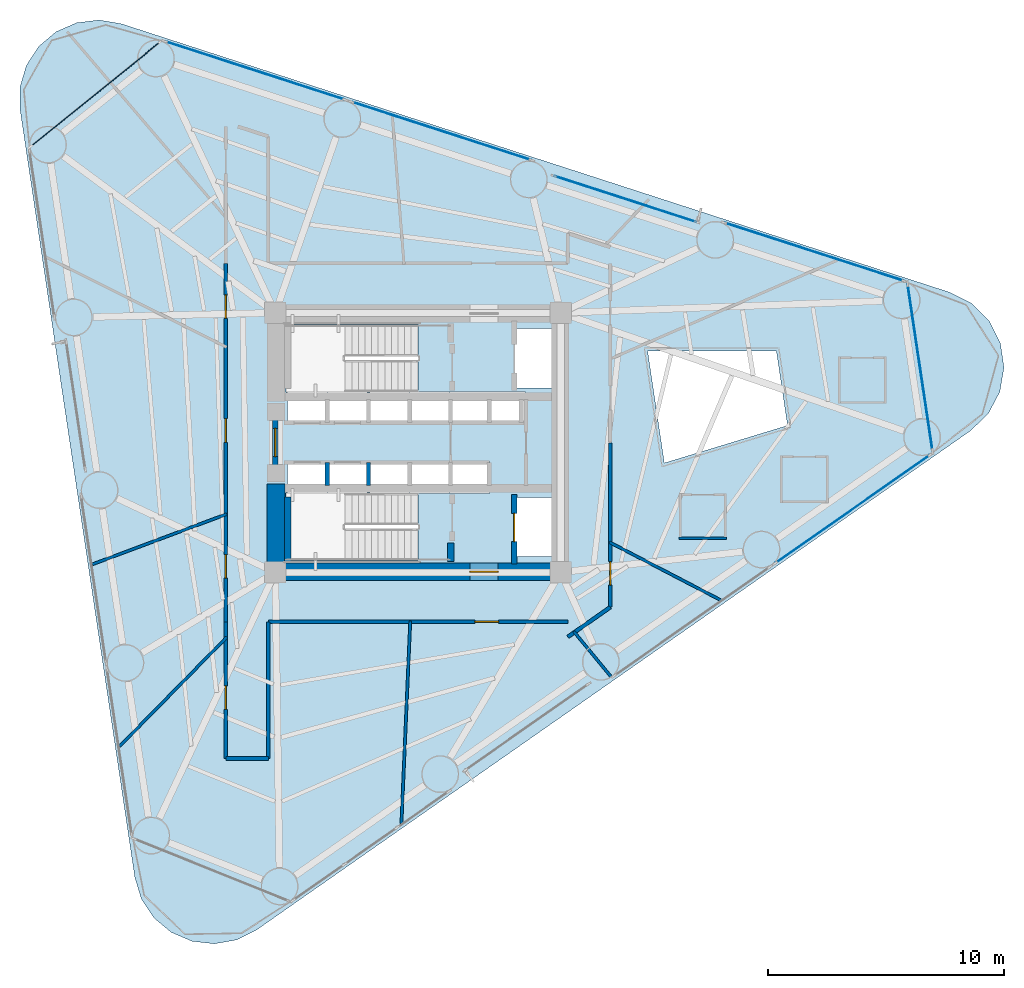
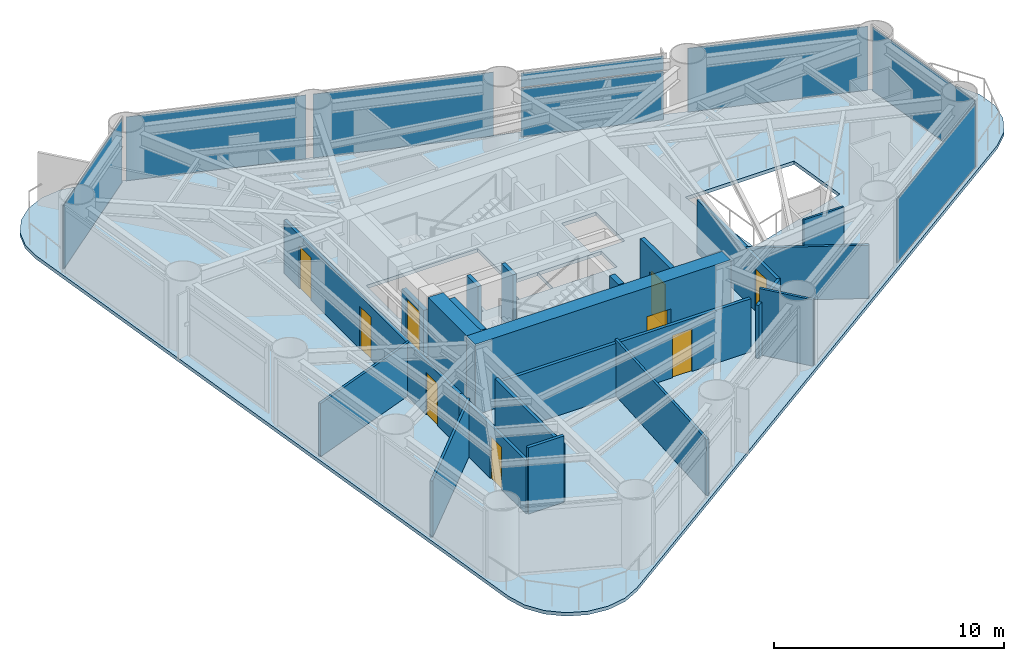
# One storey, part 5 of 9: 21 walls, 9 doors, 8 plates, 1 slab, 9 openings, 7 elements without a shape of their own.
"""IFC4 building model written with IfcOpenShell, lengths in metres."""

from ifc_helpers import new_model, si_unit, direction, frame, frame_2d, origin, origin_2d, place, context, subcontext, project, spatial, polyline, rectangle, outline, extrude, source, transform, mapped, material, layer, layer_set, type_object, element, fill, aggregate, save


model = new_model("IFC4")

# Units and contexts
model_context = context("Model", 3, precision=1e-05, world=origin(), true_north=direction((0.0, 1.0)))
body_context = subcontext(model_context, "Body", "Model", "MODEL_VIEW")
ifc_project = project(units=[si_unit("LENGTHUNIT", "METRE"), si_unit("AREAUNIT", "SQUARE_METRE"), si_unit("VOLUMEUNIT", "CUBIC_METRE"), si_unit("PLANEANGLEUNIT", "RADIAN"), si_unit("MASSUNIT", "GRAM", prefix="KILO")], contexts=[model_context])

# Site, building, storey
site_placement = place(None, origin())
site = spatial("IfcSite", under=ifc_project, at=site_placement, CompositionType="ELEMENT")
building_placement = place(site_placement, origin())
building = spatial("IfcBuilding", under=site, at=building_placement, Name="Yunling Apex Tower", CompositionType="ELEMENT")
storey_placement = place(building_placement, frame((0.0, 0.0, 81.050048828125)))
storey = spatial("IfcBuildingStorey", under=building, at=storey_placement, Name="L21", CompositionType="ELEMENT", Elevation=81.050048828125)

# Slab
ifc_material_1 = material(Name="Concrete C40", Category="concrete")
ifc_layer_1 = layer(ifc_material_1, 0.179931640625)
ifc_layer_set_1 = layer_set([ifc_layer_1], Name="Concrete C40")
slab_type = type_object("IfcSlabType", Name="SL-FLR-1", PredefinedType="FLOOR", material=ifc_layer_set_1)
slab_placement = place(storey_placement, frame((0.0, 0.0, -0.18505859375)))
element("IfcSlab", 1, at=slab_placement, inside=storey, type_object=slab_type, Name="L21 Composite Tower Floor Slab", PredefinedType="FLOOR", context=body_context, shape_type="SweptSolid", body=[
    extrude(outline(polyline([(-12.00732421875, -18.4326171875), (-11.730224609375, -19.349365234375), (-11.202392578125, -20.1484375), (-10.467529296875, -20.7626953125), (-9.587646484375, -21.14111328125), (-8.636474609375, -21.251708984375), (-7.693115234375, -21.08544921875), (-6.837158203125, -20.656005859375), (23.428955078125, 0.50537109375), (24.1796875, 1.231201171875), (24.6669921875, 2.155029296875), (24.842041015625, 3.184814453125), (24.687744140625, 4.217529296875), (24.21923828125, 5.15087890625), (23.483154296875, 5.89208984375), (22.552978515625, 6.36669921875), (-12.57763671875, 17.75439453125), (-13.521728515625, 17.914794921875), (-14.472412109375, 17.798095703125), (-15.349853515625, 17.414306640625), (-16.080810546875, 16.795166015625), (-16.603515625, 15.992919921875), (-16.875, 15.07421875), (-16.871826171875, 14.116455078125), (-12.00732421875, -18.4326171875)]), holes=[polyline([(15.192138671875, 3.88818359375), (15.6650390625, 0.723388671875), (10.442626953125, -0.865966796875), (9.733154296875, 3.88134765625), (15.192138671875, 3.88818359375)]), polyline([(5.81005859375, -2.320068359375), (5.81005859375, -4.840087890625), (4.090087890625, -4.840087890625), (4.090087890625, -2.320068359375), (5.81005859375, -2.320068359375)]), polyline([(5.81005859375, 4.840087890625), (5.81005859375, 2.320068359375), (4.090087890625, 2.320068359375), (4.090087890625, 4.840087890625), (5.81005859375, 4.840087890625)]), polyline([(4.534912109375, 0.794921875), (1.364990234375, 0.794921875), (1.364990234375, 2.1650390625), (4.534912109375, 2.1650390625), (4.534912109375, 0.794921875)]), polyline([(3.034912109375, -0.794921875), (3.034912109375, -2.1650390625), (1.364990234375, -2.1650390625), (1.364990234375, -0.794921875), (3.034912109375, -0.794921875)]), polyline([(-3.864990234375, -0.794921875), (-3.864990234375, -2.139892578125), (-3.8349609375, -2.139892578125), (-3.8349609375, -0.794921875), (-2.1650390625, -0.794921875), (-2.1650390625, -2.139892578125), (-2.034912109375, -2.139892578125), (-2.034912109375, -0.794921875), (-0.364990234375, -0.794921875), (-0.364990234375, -2.139892578125), (-0.3349609375, -2.139892578125), (-0.3349609375, -0.794921875), (1.3349609375, -0.794921875), (1.3349609375, -2.1650390625), (-0.010009765625, -2.1650390625), (-0.010009765625, -5.010009765625), (-5.60009765625, -5.010009765625), (-5.60009765625, -2.139892578125), (-5.534912109375, -2.139892578125), (-5.534912109375, -0.794921875), (-3.864990234375, -0.794921875)]), polyline([(-5.60009765625, 2.139892578125), (-5.60009765625, 5.010009765625), (-0.010009765625, 5.010009765625), (-0.010009765625, 2.1650390625), (1.3349609375, 2.1650390625), (1.3349609375, 0.794921875), (-0.3349609375, 0.794921875), (-0.3349609375, 2.139892578125), (-0.364990234375, 2.139892578125), (-0.364990234375, 0.794921875), (-2.034912109375, 0.794921875), (-2.034912109375, 2.139892578125), (-2.1650390625, 2.139892578125), (-2.1650390625, 0.794921875), (-3.8349609375, 0.794921875), (-3.8349609375, 2.139892578125), (-3.864990234375, 2.139892578125), (-3.864990234375, 0.794921875), (-5.534912109375, 0.794921875), (-5.534912109375, 2.139892578125), (-5.60009765625, 2.139892578125)])]), origin(), (0.0, 0.0, 1.0), 0.18505859375),
])

# Curtain wall, plates
ifc_material_2 = material(Name="Bronze anodised aluminium", Category="aluminium")
ifc_layer_2 = layer(ifc_material_2, 0.260009765625)
ifc_layer_set_2 = layer_set([ifc_layer_2], Name="Bronze anodised aluminium")
curtain_wall_type = type_object("IfcCurtainWallType", Name="CW-SYS-2", PredefinedType="NOTDEFINED", material=ifc_layer_set_2)
curtain_wall_1_placement = place(storey_placement, origin())
curtain_wall_1 = element("IfcCurtainWall", 2, at=curtain_wall_1_placement, inside=storey, type_object=curtain_wall_type, Name="CW-L21-F2-B2", PredefinedType="NOTDEFINED")
ifc_material_3 = material(Name="Bronze tinted low-E glass", Category="glass")
ifc_layer_3 = layer(ifc_material_3, 0.033935546875)
ifc_layer_set_3 = layer_set([ifc_layer_3], Name="Bronze tinted low-E glass")
plate_type = type_object("IfcPlateType", Name="CW-PNL-2", PredefinedType="CURTAIN_PANEL", material=ifc_layer_set_3)
shared_shape_1 = source(origin(), body_context, "Body", "SweptSolid", [
    extrude(rectangle(XDim=6.315673828125, YDim=0.033935546875, at=origin_2d()), origin(), (0.0, 0.0, 1.0), 2.57177734375),
])
plate_1_placement = place(storey_placement, frame((8.7919921875, 10.32275390625, 0.07666015625), z_axis=(0.0, 0.0, 1.0), x_axis=(-0.951272336999, 0.308351975608, 0.0)))
plate_1 = element("IfcPlate", 3, at=plate_1_placement, type_object=plate_type, Name="CW-SYS-2 panel 1.1", PredefinedType="CURTAIN_PANEL", context=body_context, shape_type="MappedRepresentation", body=[
    mapped(shared_shape_1, transform((0.0, 0.0, 0.0), scale=1.0)),
])
shared_shape_2 = source(origin(), body_context, "Body", "SweptSolid", [
    extrude(rectangle(XDim=6.315673828125, YDim=0.033935546875, at=origin_2d()), origin(), (0.0, 0.0, 1.0), 0.736083984375),
])
plate_2_placement = place(storey_placement, frame((8.7919921875, 10.32275390625, 2.71728515625), z_axis=(0.0, 0.0, 1.0), x_axis=(-0.951272336999, 0.308351975608, 0.0)))
plate_2 = element("IfcPlate", 4, at=plate_2_placement, type_object=plate_type, Name="CW-SYS-2 panel 1.2", PredefinedType="CURTAIN_PANEL", context=body_context, shape_type="MappedRepresentation", body=[
    mapped(shared_shape_2, transform((0.0, 0.0, 0.0), scale=1.0)),
])
aggregate(curtain_wall_1, [plate_1, plate_2])

# Curtain wall, plate
curtain_wall_2_placement = place(storey_placement, origin())
curtain_wall_2 = element("IfcCurtainWall", 5, at=curtain_wall_2_placement, inside=storey, type_object=curtain_wall_type, Name="CW-L21-F1-B4", PredefinedType="NOTDEFINED")
shared_shape_3 = source(origin(), body_context, "Body", "SweptSolid", [
    extrude(rectangle(XDim=7.995849609375, YDim=0.033935546875, at=origin_2d()), origin(), (0.0, 0.0, 1.0), 3.37646484375),
])
plate_3_placement = place(storey_placement, frame((18.430419921875, -2.818603515625, 0.07666015625), z_axis=(0.0, 0.0, 1.0), x_axis=(0.819552319691, 0.573004358875, 0.0)))
plate_3 = element("IfcPlate", 6, at=plate_3_placement, type_object=plate_type, Name="CW-SYS-2 panel 1.1", PredefinedType="CURTAIN_PANEL", context=body_context, shape_type="MappedRepresentation", body=[
    mapped(shared_shape_3, transform((0.0, 0.0, 0.0), scale=1.0)),
])
aggregate(curtain_wall_2, [plate_3])

curtain_wall_3_placement = place(storey_placement, origin())
curtain_wall_3 = element("IfcCurtainWall", 7, at=curtain_wall_3_placement, inside=storey, type_object=curtain_wall_type, Name="CW-L21-F2-B1", PredefinedType="NOTDEFINED")
plate_4_placement = place(storey_placement, frame((16.801025390625, 8.083984375, 0.07666015625), z_axis=(0.0, 0.0, 1.0), x_axis=(-0.951270593784, 0.30835735341, 0.0)))
plate_4 = element("IfcPlate", 8, at=plate_4_placement, type_object=plate_type, Name="CW-SYS-2 panel 1.1", PredefinedType="CURTAIN_PANEL", context=body_context, shape_type="MappedRepresentation", body=[
    mapped(shared_shape_3, transform((0.0, 0.0, 0.0), scale=1.0)),
])
aggregate(curtain_wall_3, [plate_4])

curtain_wall_4_placement = place(storey_placement, origin())
curtain_wall_4 = element("IfcCurtainWall", 9, at=curtain_wall_4_placement, inside=storey, type_object=curtain_wall_type, Name="CW-L21-F2-B3", PredefinedType="NOTDEFINED")
plate_5_placement = place(storey_placement, frame((0.9921875, 13.20849609375, 0.07666015625), z_axis=(0.0, 0.0, 1.0), x_axis=(-0.951266994272, 0.308368457544, 0.0)))
plate_5 = element("IfcPlate", 10, at=plate_5_placement, type_object=plate_type, Name="CW-SYS-2 panel 1.1", PredefinedType="CURTAIN_PANEL", context=body_context, shape_type="MappedRepresentation", body=[
    mapped(shared_shape_3, transform((0.0, 0.0, 0.0), scale=1.0)),
])
aggregate(curtain_wall_4, [plate_5])

curtain_wall_5_placement = place(storey_placement, origin())
curtain_wall_5 = element("IfcCurtainWall", 11, at=curtain_wall_5_placement, inside=storey, type_object=curtain_wall_type, Name="CW-L21-F2-B4", PredefinedType="NOTDEFINED")
plate_6_placement = place(storey_placement, frame((-6.912109375, 15.770751953125, 0.07666015625), z_axis=(0.0, 0.0, 1.0), x_axis=(-0.951270593784, 0.30835735341, 0.0)))
plate_6 = element("IfcPlate", 12, at=plate_6_placement, type_object=plate_type, Name="CW-SYS-2 panel 1.1", PredefinedType="CURTAIN_PANEL", context=body_context, shape_type="MappedRepresentation", body=[
    mapped(shared_shape_3, transform((0.0, 0.0, 0.0), scale=1.0)),
])
aggregate(curtain_wall_5, [plate_6])

curtain_wall_6_placement = place(storey_placement, origin())
curtain_wall_6 = element("IfcCurtainWall", 13, at=curtain_wall_6_placement, inside=storey, type_object=curtain_wall_type, Name="CW-L21-CRN1", PredefinedType="NOTDEFINED")
shared_shape_4 = source(origin(), body_context, "Body", "SweptSolid", [
    extrude(rectangle(XDim=7.132080078125, YDim=0.033935546875, at=origin_2d()), origin(), (0.0, 0.0, 1.0), 3.37646484375),
])
plate_7_placement = place(storey_placement, frame((21.28564453125, 3.18115234375, 0.07666015625), z_axis=(0.0, 0.0, 1.0), x_axis=(-0.147798115278, 0.989017551472, 0.0)))
plate_7 = element("IfcPlate", 14, at=plate_7_placement, type_object=plate_type, Name="CW-SYS-2 panel 1.1", PredefinedType="CURTAIN_PANEL", context=body_context, shape_type="MappedRepresentation", body=[
    mapped(shared_shape_4, transform((0.0, 0.0, 0.0), scale=1.0)),
])
aggregate(curtain_wall_6, [plate_7])

curtain_wall_7_placement = place(storey_placement, origin())
curtain_wall_7 = element("IfcCurtainWall", 15, at=curtain_wall_7_placement, inside=storey, type_object=curtain_wall_type, Name="CW-L21-CRN2", PredefinedType="NOTDEFINED")
shared_shape_5 = source(origin(), body_context, "Body", "SweptSolid", [
    extrude(rectangle(XDim=7.043212890625, YDim=0.033935546875, at=origin_2d()), origin(), (0.0, 0.0, 1.0), 3.37646484375),
])
plate_8_placement = place(storey_placement, frame((-13.67041015625, 14.772705078125, 0.07666015625), z_axis=(0.0, 0.0, 1.0), x_axis=(-0.778148820322, -0.628079941911, 0.0)))
plate_8 = element("IfcPlate", 16, at=plate_8_placement, type_object=plate_type, Name="CW-SYS-2 panel 1.1", PredefinedType="CURTAIN_PANEL", context=body_context, shape_type="MappedRepresentation", body=[
    mapped(shared_shape_5, transform((0.0, 0.0, 0.0), scale=1.0)),
])
aggregate(curtain_wall_7, [plate_8])

# Wall, opening, door
ifc_material_4 = material(Name="Concrete C60", Category="concrete")
ifc_layer_4 = layer(ifc_material_4, 0.75)
ifc_layer_set_4 = layer_set([ifc_layer_4], Name="Concrete C60")
wall_type_1 = type_object("IfcWallType", Name="WL-COR-1", PredefinedType="SHEAR", material=ifc_layer_set_4)
wall_1_placement = place(storey_placement, frame((-6.39990234375, -5.47509765625, 0.0), z_axis=(0.0, 0.0, 1.0), x_axis=(1.0, 0.0, 0.0)))
wall_1 = element("IfcWall", 17, at=wall_1_placement, inside=storey, type_object=wall_type_1, Name="L21 South Core Shear Wall", PredefinedType="SHEAR", context=body_context, shape_type="SweptSolid", body=[
    extrude(rectangle(XDim=12.7998046875, YDim=0.75, at=frame_2d((6.39990234375, 0.0))), origin(), (0.0, 0.0, 1.0), 3.75),
])
opening_1_placement = place(wall_1_placement, frame((8.60009765625, 0.0, 0.0)))
opening_1 = element("IfcOpeningElement", 18, at=opening_1_placement, cuts=wall_1, Name="Opening DR-FFL-1", PredefinedType="OPENING", context=body_context, shape_type="SweptSolid", body=[
    extrude(rectangle(XDim=1.199951171875, YDim=2.199951171875, at=frame_2d((0.60009765625, 1.10009765625))), frame((0.0, 0.385009765625, 0.0), z_axis=(0.0, -1.0, 0.0), x_axis=(1.0, 0.0, 0.0)), (0.0, 0.0, 1.0), 0.77001953125),
])
ifc_material_5 = material(Name="Steel Q355B", Category="steel")
door_type_1 = type_object("IfcDoorType", Name="DR-FFL-1", OperationType="NOTDEFINED", PredefinedType="DOOR", material=ifc_material_5)
door_1_placement = place(opening_1_placement, origin())
door_1 = element("IfcDoor", 19, at=door_1_placement, inside=storey, type_object=door_type_1, Name="L21 South Firefighting Lobby Door", OperationType="SINGLE_SWING_RIGHT", OverallHeight=2.199951171875, OverallWidth=1.199951171875, PredefinedType="DOOR", context=body_context, shape_type="SweptSolid", body=[
    extrude(rectangle(XDim=1.199951171875, YDim=2.199951171875, at=frame_2d((0.60009765625, 1.10009765625))), frame((0.0, 0.02490234375, 0.0), z_axis=(0.0, -1.0, 0.0), x_axis=(1.0, 0.0, 0.0)), (0.0, 0.0, 1.0), 0.050048828125),
])
fill(opening_1, door_1)

# Walls
wall_2_placement = place(storey_placement, frame((-6.02490234375, -5.10009765625, 0.0), z_axis=(0.0, 0.0, 1.0), x_axis=(0.0, 1.0, 0.0)))
element("IfcWall", 20, at=wall_2_placement, inside=storey, type_object=wall_type_1, Name="L21 West-South Core Shear Wall", PredefinedType="SHEAR", context=body_context, shape_type="SweptSolid", body=[
    extrude(rectangle(XDim=3.35009765625, YDim=0.75, at=frame_2d((1.675048828125, 0.0))), origin(), (0.0, 0.0, 1.0), 3.75),
])
ifc_layer_5 = layer(ifc_material_1, 0.280029296875)
ifc_layer_set_5 = layer_set([ifc_layer_5], Name="Concrete C40")
wall_type_2 = type_object("IfcWallType", Name="WL-COR-8", PredefinedType="SHEAR", material=ifc_layer_set_5)
wall_3_placement = place(storey_placement, frame((-5.52001953125, -5.050048828125, 0.0), z_axis=(0.0, 0.0, 1.0), x_axis=(0.0, 1.0, 0.0)))
element("IfcWall", 21, at=wall_3_placement, inside=storey, type_object=wall_type_2, Name="L21 ST-2 West Landing Bearing Wall", PredefinedType="SHEAR", context=body_context, shape_type="SweptSolid", body=[
    extrude(rectangle(XDim=2.75, YDim=0.280029296875, at=frame_2d((1.375, 0.0))), origin(), (0.0, 0.0, 1.0), 3.75),
])
wall_4_placement = place(storey_placement, frame((1.3798828125, -5.050048828125, 0.0), z_axis=(0.0, 0.0, 1.0), x_axis=(0.0, 1.0, 0.0)))
element("IfcWall", 22, at=wall_4_placement, inside=storey, type_object=wall_type_2, Name="L21 ST-2 East Landing Bearing Pier", PredefinedType="SHEAR", context=body_context, shape_type="SweptSolid", body=[
    extrude(rectangle(XDim=0.800048828125, YDim=0.280029296875, at=frame_2d((0.39990234375, 0.0))), origin(), (0.0, 0.0, 1.0), 3.75),
])

# Wall, opening, door
ifc_material_6 = material(Name="Gypsum board acoustic partition")
ifc_layer_6 = layer(ifc_material_6, 0.159912109375)
ifc_layer_set_6 = layer_set([ifc_layer_6], Name="Gypsum board acoustic partition")
wall_type_3 = type_object("IfcWallType", Name="WL-PRT-1", PredefinedType="PARTITIONING", material=ifc_layer_set_6)
wall_5_placement = place(storey_placement, frame((-8.14990234375, -13.39990234375, 0.0), z_axis=(0.0, 0.0, 1.0), x_axis=(0.0, 1.0, 0.0)))
wall_5 = element("IfcWall", 23, at=wall_5_placement, inside=storey, type_object=wall_type_3, Name="WL-CORR-L21-01", PredefinedType="PARTITIONING", context=body_context, shape_type="SweptSolid", body=[
    extrude(rectangle(XDim=5.7998046875, YDim=0.159912109375, at=frame_2d((2.89990234375, 0.0))), origin(), (0.0, 0.0, 1.0), 2.81494140625),
])
opening_2_placement = place(wall_5_placement, frame((2.089599609375, 0.0, 0.0)))
opening_2 = element("IfcOpeningElement", 24, at=opening_2_placement, cuts=wall_5, Name="Opening DR-OFF-1", PredefinedType="OPENING", context=body_context, shape_type="SweptSolid", body=[
    extrude(rectangle(XDim=1.0, YDim=2.25, at=frame_2d((0.5, 1.125))), frame((0.0, 0.08984375, 0.0), z_axis=(0.0, -1.0, 0.0), x_axis=(1.0, 0.0, 0.0)), (0.0, 0.0, 1.0), 0.179931640625),
])
door_type_2 = type_object("IfcDoorType", Name="DR-OFF-1", OperationType="NOTDEFINED", PredefinedType="DOOR", material=ifc_material_2)
door_2_placement = place(opening_2_placement, origin())
door_2 = element("IfcDoor", 25, at=door_2_placement, inside=storey, type_object=door_type_2, Name="L21 Staff Fitness Club Door", OperationType="SINGLE_SWING_RIGHT", OverallHeight=2.25, OverallWidth=1.0, PredefinedType="DOOR", context=body_context, shape_type="SweptSolid", body=[
    extrude(rectangle(XDim=1.0, YDim=2.25, at=frame_2d((0.5, 1.125))), frame((0.0, 0.02490234375, 0.0), z_axis=(0.0, -1.0, 0.0), x_axis=(1.0, 0.0, 0.0)), (0.0, 0.0, 1.0), 0.050048828125),
])
fill(opening_2, door_2)

# Wall, openings, doors
wall_6_placement = place(storey_placement, frame((-8.14990234375, -7.60009765625, 0.0), z_axis=(0.0, 0.0, 1.0), x_axis=(0.0, 1.0, 0.0)))
wall_6 = element("IfcWall", 26, at=wall_6_placement, inside=storey, type_object=wall_type_3, Name="WL-CORR-L21-02", PredefinedType="PARTITIONING", context=body_context, shape_type="SweptSolid", body=[
    extrude(rectangle(XDim=15.2001953125, YDim=0.159912109375, at=frame_2d((7.60009765625, 0.0))), origin(), (0.0, 0.0, 1.0), 2.81494140625),
])
opening_3_placement = place(wall_6_placement, frame((1.852783203125, 0.0, 0.0)))
opening_3 = element("IfcOpeningElement", 27, at=opening_3_placement, cuts=wall_6, Name="Opening DR-OFF-1", PredefinedType="OPENING", context=body_context, shape_type="SweptSolid", body=[
    extrude(rectangle(XDim=1.0, YDim=2.25, at=frame_2d((0.5, 1.125))), frame((0.0, 0.08984375, 0.0), z_axis=(0.0, -1.0, 0.0), x_axis=(1.0, 0.0, 0.0)), (0.0, 0.0, 1.0), 0.179931640625),
])
opening_4_placement = place(wall_6_placement, frame((7.613037109375, 0.0, 0.0)))
opening_4 = element("IfcOpeningElement", 28, at=opening_4_placement, cuts=wall_6, Name="Opening DR-OFF-1", PredefinedType="OPENING", context=body_context, shape_type="SweptSolid", body=[
    extrude(rectangle(XDim=1.0, YDim=2.25, at=frame_2d((0.5, 1.125))), frame((0.0, 0.08984375, 0.0), z_axis=(0.0, -1.0, 0.0), x_axis=(1.0, 0.0, 0.0)), (0.0, 0.0, 1.0), 0.179931640625),
])
opening_5_placement = place(wall_6_placement, frame((12.8623046875, 0.0, 0.0)))
opening_5 = element("IfcOpeningElement", 29, at=opening_5_placement, cuts=wall_6, Name="Opening DR-OFF-1", PredefinedType="OPENING", context=body_context, shape_type="SweptSolid", body=[
    extrude(rectangle(XDim=1.0, YDim=2.25, at=frame_2d((0.5, 1.125))), frame((0.0, 0.08984375, 0.0), z_axis=(0.0, -1.0, 0.0), x_axis=(1.0, 0.0, 0.0)), (0.0, 0.0, 1.0), 0.179931640625),
])
door_3_placement = place(opening_3_placement, origin())
door_3 = element("IfcDoor", 30, at=door_3_placement, inside=storey, type_object=door_type_2, Name="L21 Staff Fitness Club Door", OperationType="SINGLE_SWING_LEFT", OverallHeight=2.25, OverallWidth=1.0, PredefinedType="DOOR", context=body_context, shape_type="SweptSolid", body=[
    extrude(rectangle(XDim=1.0, YDim=2.25, at=frame_2d((0.5, 1.125))), frame((0.0, 0.02490234375, 0.0), z_axis=(0.0, -1.0, 0.0), x_axis=(1.0, 0.0, 0.0)), (0.0, 0.0, 1.0), 0.050048828125),
])
fill(opening_3, door_3)
door_4_placement = place(opening_4_placement, origin())
door_4 = element("IfcDoor", 31, at=door_4_placement, inside=storey, type_object=door_type_2, Name="L21 Staff Fitness Club Door", OperationType="SINGLE_SWING_RIGHT", OverallHeight=2.25, OverallWidth=1.0, PredefinedType="DOOR", context=body_context, shape_type="SweptSolid", body=[
    extrude(rectangle(XDim=1.0, YDim=2.25, at=frame_2d((0.5, 1.125))), frame((0.0, 0.02490234375, 0.0), z_axis=(0.0, -1.0, 0.0), x_axis=(1.0, 0.0, 0.0)), (0.0, 0.0, 1.0), 0.050048828125),
])
fill(opening_4, door_4)
door_5_placement = place(opening_5_placement, origin())
door_5 = element("IfcDoor", 32, at=door_5_placement, inside=storey, type_object=door_type_2, Name="L21 Staff Fitness Club Door", OperationType="SINGLE_SWING_LEFT", OverallHeight=2.25, OverallWidth=1.0, PredefinedType="DOOR", context=body_context, shape_type="SweptSolid", body=[
    extrude(rectangle(XDim=1.0, YDim=2.25, at=frame_2d((0.5, 1.125))), frame((0.0, 0.02490234375, 0.0), z_axis=(0.0, -1.0, 0.0), x_axis=(1.0, 0.0, 0.0)), (0.0, 0.0, 1.0), 0.050048828125),
])
fill(opening_5, door_5)

# Wall, opening, door
wall_7_placement = place(storey_placement, frame((8.14990234375, -0.02001953125, 0.0), z_axis=(0.0, 0.0, 1.0), x_axis=(0.0, -1.0, 0.0)))
wall_7 = element("IfcWall", 33, at=wall_7_placement, inside=storey, type_object=wall_type_3, Name="WL-CORR-L21-12", PredefinedType="PARTITIONING", context=body_context, shape_type="SweptSolid", body=[
    extrude(rectangle(XDim=6.96044921875, YDim=0.159912109375, at=frame_2d((3.480224609375, 0.0))), origin(), (0.0, 0.0, 1.0), 2.81494140625),
])
opening_6_placement = place(wall_7_placement, frame((5.0234375, 0.0, 0.0)))
opening_6 = element("IfcOpeningElement", 34, at=opening_6_placement, cuts=wall_7, Name="Opening DR-OFF-1", PredefinedType="OPENING", context=body_context, shape_type="SweptSolid", body=[
    extrude(rectangle(XDim=1.0, YDim=2.25, at=frame_2d((0.5, 1.125))), frame((0.0, 0.08984375, 0.0), z_axis=(0.0, -1.0, 0.0), x_axis=(1.0, 0.0, 0.0)), (0.0, 0.0, 1.0), 0.179931640625),
])
door_6_placement = place(opening_6_placement, origin())
door_6 = element("IfcDoor", 35, at=door_6_placement, inside=storey, type_object=door_type_2, Name="L21 Document Archive Store Door", OperationType="SINGLE_SWING_RIGHT", OverallHeight=2.25, OverallWidth=1.0, PredefinedType="DOOR", context=body_context, shape_type="SweptSolid", body=[
    extrude(rectangle(XDim=1.0, YDim=2.25, at=frame_2d((0.5, 1.125))), frame((0.0, 0.02490234375, 0.0), z_axis=(0.0, -1.0, 0.0), x_axis=(1.0, 0.0, 0.0)), (0.0, 0.0, 1.0), 0.050048828125),
])
fill(opening_6, door_6)

# Wall
wall_8_placement = place(storey_placement, frame((8.14990234375, -6.98046875, 0.0), z_axis=(0.0, 0.0, 1.0), x_axis=(-0.819513839239, -0.573059392468, 0.0)))
element("IfcWall", 36, at=wall_8_placement, inside=storey, type_object=wall_type_3, Name="WL-CORR-L21-13", PredefinedType="PARTITIONING", context=body_context, shape_type="SweptSolid", body=[
    extrude(rectangle(XDim=2.1962890625, YDim=0.159912109375, at=frame_2d((1.09814453125, 0.0))), origin(), (0.0, 0.0, 1.0), 2.81494140625),
])

# Wall, opening, door
wall_9_placement = place(storey_placement, frame((6.35009765625, -7.60009765625, 0.0), z_axis=(0.0, 0.0, 1.0), x_axis=(-1.0, 0.0, 0.0)))
wall_9 = element("IfcWall", 37, at=wall_9_placement, inside=storey, type_object=wall_type_3, Name="WL-CORR-L21-15", PredefinedType="PARTITIONING", context=body_context, shape_type="SweptSolid", body=[
    extrude(rectangle(XDim=12.7001953125, YDim=0.159912109375, at=frame_2d((6.35009765625, 0.0))), origin(), (0.0, 0.0, 1.0), 2.81494140625),
])
opening_7_placement = place(wall_9_placement, frame((2.9365234375, 0.0, 0.0)))
opening_7 = element("IfcOpeningElement", 38, at=opening_7_placement, cuts=wall_9, Name="Opening DR-OFF-1", PredefinedType="OPENING", context=body_context, shape_type="SweptSolid", body=[
    extrude(rectangle(XDim=1.0, YDim=2.25, at=frame_2d((0.5, 1.125))), frame((0.0, 0.08984375, 0.0), z_axis=(0.0, -1.0, 0.0), x_axis=(1.0, 0.0, 0.0)), (0.0, 0.0, 1.0), 0.179931640625),
])
door_7_placement = place(opening_7_placement, origin())
door_7 = element("IfcDoor", 39, at=door_7_placement, inside=storey, type_object=door_type_2, Name="L21 Staff Fitness Club Door", OperationType="SINGLE_SWING_LEFT", OverallHeight=2.25, OverallWidth=1.0, PredefinedType="DOOR", context=body_context, shape_type="SweptSolid", body=[
    extrude(rectangle(XDim=1.0, YDim=2.25, at=frame_2d((0.5, 1.125))), frame((0.0, 0.02490234375, 0.0), z_axis=(0.0, -1.0, 0.0), x_axis=(1.0, 0.0, 0.0)), (0.0, 0.0, 1.0), 0.050048828125),
])
fill(opening_7, door_7)

# Walls
wall_10_placement = place(storey_placement, frame((-6.35009765625, -7.60009765625, 0.0), z_axis=(0.0, 0.0, 1.0), x_axis=(0.0, -1.0, 0.0)))
element("IfcWall", 40, at=wall_10_placement, inside=storey, type_object=wall_type_3, Name="WL-CORR-L21-16", PredefinedType="PARTITIONING", context=body_context, shape_type="SweptSolid", body=[
    extrude(rectangle(XDim=5.7998046875, YDim=0.159912109375, at=frame_2d((2.89990234375, 0.0))), origin(), (0.0, 0.0, 1.0), 3.014892578125),
])
wall_11_placement = place(storey_placement, frame((-6.35009765625, -13.39990234375, 0.0), z_axis=(0.0, 0.0, 1.0), x_axis=(-1.0, 0.0, 0.0)))
element("IfcWall", 41, at=wall_11_placement, inside=storey, type_object=wall_type_3, Name="WL-CORR-L21-17", PredefinedType="PARTITIONING", context=body_context, shape_type="SweptSolid", body=[
    extrude(rectangle(XDim=1.7998046875, YDim=0.159912109375, at=frame_2d((0.89990234375, 0.0))), origin(), (0.0, 0.0, 1.0), 3.510009765625),
])
ifc_layer_7 = layer(ifc_material_6, 0.1201171875)
ifc_layer_set_7 = layer_set([ifc_layer_7], Name="Gypsum board acoustic partition")
wall_type_4 = type_object("IfcWallType", Name="WL-PRT-3", PredefinedType="PARTITIONING", material=ifc_layer_set_7)
wall_12_placement = place(storey_placement, frame((-8.110107421875, -3.0322265625, 0.0), z_axis=(0.0, 0.0, 1.0), x_axis=(-0.936670113357, -0.350212933433, 0.0)))
element("IfcWall", 42, at=wall_12_placement, inside=storey, type_object=wall_type_4, Name="WL-RAD-L21-03", PredefinedType="PARTITIONING", context=body_context, shape_type="SweptSolid", body=[
    extrude(rectangle(XDim=6.083740234375, YDim=0.1201171875, at=frame_2d((3.0419921875, 0.0))), origin(), (0.0, 0.0, 1.0), 2.81494140625),
])
wall_13_placement = place(storey_placement, frame((-8.110107421875, -8.252685546875, 0.0), z_axis=(0.0, 0.0, 1.0), x_axis=(-0.700886951804, -0.713272374897, 0.0)))
element("IfcWall", 43, at=wall_13_placement, inside=storey, type_object=wall_type_4, Name="WL-RAD-L21-04", PredefinedType="PARTITIONING", context=body_context, shape_type="SweptSolid", body=[
    extrude(rectangle(XDim=6.485107421875, YDim=0.1201171875, at=frame_2d((3.24267578125, 0.0))), origin(), (0.0, 0.0, 1.0), 2.974853515625),
])
wall_14_placement = place(storey_placement, frame((-0.330078125, -7.56005859375, 0.0), z_axis=(0.0, 0.0, 1.0), x_axis=(-0.043619614926, -0.999048211646, 0.0)))
element("IfcWall", 44, at=wall_14_placement, inside=storey, type_object=wall_type_4, Name="WL-RAD-L21-05", PredefinedType="PARTITIONING", context=body_context, shape_type="SweptSolid", body=[
    extrude(rectangle(XDim=8.59716796875, YDim=0.1201171875, at=frame_2d((4.298583984375, 0.0))), origin(), (0.0, 0.0, 1.0), 2.974853515625),
])
wall_15_placement = place(storey_placement, frame((6.604736328125, -8.01220703125, 0.0), z_axis=(0.0, 0.0, 1.0), x_axis=(0.636033986145, -0.771661045064, 0.0)))
element("IfcWall", 45, at=wall_15_placement, inside=storey, type_object=wall_type_4, Name="WL-RAD-L21-06", PredefinedType="PARTITIONING", context=body_context, shape_type="SweptSolid", body=[
    extrude(rectangle(XDim=2.48779296875, YDim=0.1201171875, at=frame_2d((1.243896484375, 0.0))), origin(), (0.0, 0.0, 1.0), 3.510009765625),
])
wall_16_placement = place(storey_placement, frame((8.110107421875, -4.2216796875, 0.0), z_axis=(0.0, 0.0, 1.0), x_axis=(0.886984089822, -0.461799983112, 0.0)))
element("IfcWall", 46, at=wall_16_placement, inside=storey, type_object=wall_type_4, Name="WL-RAD-L21-07", PredefinedType="PARTITIONING", context=body_context, shape_type="SweptSolid", body=[
    extrude(rectangle(XDim=5.327392578125, YDim=0.1201171875, at=frame_2d((2.66357421875, 0.0))), origin(), (0.0, 0.0, 1.0), 2.81494140625),
])
ifc_layer_8 = layer(ifc_material_6, 0.10009765625)
ifc_layer_set_8 = layer_set([ifc_layer_8], Name="Gypsum board acoustic partition")
wall_type_5 = type_object("IfcWallType", Name="WL-PRT-4", PredefinedType="PARTITIONING", material=ifc_layer_set_8)
wall_17_placement = place(storey_placement, frame((13.070068359375, -4.055908203125, 0.0), z_axis=(0.0, 0.0, 1.0), x_axis=(-1.0, 0.0, 0.0)))
element("IfcWall", 47, at=wall_17_placement, inside=storey, type_object=wall_type_5, Name="WL-L21-WCAS", PredefinedType="PARTITIONING", context=body_context, shape_type="SweptSolid", body=[
    extrude(rectangle(XDim=2.0, YDim=0.10009765625, at=frame_2d((1.0, 0.0))), origin(), (0.0, 0.0, 1.0), 3.1650390625),
])

# Wall, opening, door
ifc_material_7 = material(Name="Autoclaved aerated concrete masonry", Category="masonry")
ifc_layer_9 = layer(ifc_material_7, 0.219970703125)
ifc_layer_set_9 = layer_set([ifc_layer_9], Name="Autoclaved aerated concrete masonry")
wall_type_6 = type_object("IfcWallType", Name="WL-SHF-1", PredefinedType="PLUMBINGWALL", material=ifc_layer_set_9)
wall_18_placement = place(storey_placement, frame((-6.050048828125, -0.949951171875, 0.0), z_axis=(0.0, 0.0, 1.0), x_axis=(0.0, 1.0, 0.0)))
wall_18 = element("IfcWall", 48, at=wall_18_placement, inside=storey, type_object=wall_type_6, Name="WL-COR-WPORT-L21", PredefinedType="PLUMBINGWALL", context=body_context, shape_type="SweptSolid", body=[
    extrude(rectangle(XDim=1.89990234375, YDim=0.219970703125, at=frame_2d((0.949951171875, 0.0))), origin(), (0.0, 0.0, 1.0), 2.489990234375),
])
opening_8_placement = place(wall_18_placement, frame((0.35009765625, 0.0, 0.0)))
opening_8 = element("IfcOpeningElement", 49, at=opening_8_placement, cuts=wall_18, Name="Opening DR-FFL-1", PredefinedType="OPENING", context=body_context, shape_type="SweptSolid", body=[
    extrude(rectangle(XDim=1.199951171875, YDim=2.199951171875, at=frame_2d((0.60009765625, 1.10009765625))), frame((0.0, 0.1201171875, 0.0), z_axis=(0.0, -1.0, 0.0), x_axis=(1.0, 0.0, 0.0)), (0.0, 0.0, 1.0), 0.239990234375),
])
door_8_placement = place(opening_8_placement, origin())
door_8 = element("IfcDoor", 50, at=door_8_placement, inside=storey, type_object=door_type_1, Name="L21 Passenger Lift Lobby Entrance Door", OperationType="SINGLE_SWING_RIGHT", OverallHeight=2.199951171875, OverallWidth=1.199951171875, PredefinedType="DOOR", context=body_context, shape_type="SweptSolid", body=[
    extrude(rectangle(XDim=1.199951171875, YDim=2.199951171875, at=frame_2d((0.60009765625, 1.10009765625))), frame((0.0, 0.02490234375, 0.0), z_axis=(0.0, -1.0, 0.0), x_axis=(1.0, 0.0, 0.0)), (0.0, 0.0, 1.0), 0.050048828125),
])
fill(opening_8, door_8)

wall_19_placement = place(storey_placement, frame((4.080078125, -5.14990234375, 0.0), z_axis=(0.0, 0.0, 1.0), x_axis=(0.0, 1.0, 0.0)))
wall_19 = element("IfcWall", 51, at=wall_19_placement, inside=storey, type_object=wall_type_6, Name="WL-FFL2-W-L21", PredefinedType="PLUMBINGWALL", context=body_context, shape_type="SweptSolid", body=[
    extrude(rectangle(XDim=2.949951171875, YDim=0.219970703125, at=frame_2d((1.47509765625, 0.0))), origin(), (0.0, 0.0, 1.0), 3.510009765625),
])
opening_9_placement = place(wall_19_placement, frame((0.949951171875, 0.0, 0.0)))
opening_9 = element("IfcOpeningElement", 52, at=opening_9_placement, cuts=wall_19, Name="Opening LD-FFL-1", PredefinedType="OPENING", context=body_context, shape_type="SweptSolid", body=[
    extrude(rectangle(XDim=1.199951171875, YDim=2.25, at=frame_2d((0.60009765625, 1.125))), frame((0.0, 0.1201171875, 0.0), z_axis=(0.0, -1.0, 0.0), x_axis=(1.0, 0.0, 0.0)), (0.0, 0.0, 1.0), 0.239990234375),
])
door_type_3 = type_object("IfcDoorType", Name="LD-FFL-1", OperationType="DOUBLE_DOOR_SLIDING", PredefinedType="DOOR", material=ifc_material_5)
door_9_placement = place(opening_9_placement, origin())
door_9 = element("IfcDoor", 53, at=door_9_placement, inside=storey, type_object=door_type_3, Name="L21 Lift FFL-2 Landing Door", OperationType="DOUBLE_DOOR_SLIDING", OverallHeight=2.25, OverallWidth=1.199951171875, PredefinedType="DOOR", context=body_context, shape_type="SweptSolid", body=[
    extrude(rectangle(XDim=1.199951171875, YDim=2.25, at=frame_2d((0.60009765625, 1.125))), frame((0.0, 0.02490234375, 0.0), z_axis=(0.0, -1.0, 0.0), x_axis=(1.0, 0.0, 0.0)), (0.0, 0.0, 1.0), 0.050048828125),
])
fill(opening_9, door_9)

# Walls
ifc_layer_10 = layer(ifc_material_7, 0.179931640625)
ifc_layer_set_10 = layer_set([ifc_layer_10], Name="Autoclaved aerated concrete masonry")
wall_type_7 = type_object("IfcWallType", Name="WL-SHF-2", PredefinedType="PLUMBINGWALL", material=ifc_layer_set_10)
for number, where, z_axis, x_axis, name in (
    (54, (-3.85009765625, -1.820068359375, 0.0), (0.0, 0.0, 1.0), (0.0, 1.0, 0.0), "WL-DIV-L34-L21"),
    (55, (-2.10009765625, -1.820068359375, 0.0), (0.0, 0.0, 1.0), (0.0, 1.0, 0.0), "WL-BNK-LM-S-L21"),
):
    element("IfcWall", number, at=place(storey_placement, frame(where, z_axis=z_axis, x_axis=x_axis)), inside=storey, type_object=wall_type_7, Name=name, PredefinedType="PLUMBINGWALL", context=body_context, shape_type="SweptSolid", body=[
        extrude(rectangle(XDim=0.97998046875, YDim=0.179931640625, at=frame_2d((0.489990234375, 0.0))), origin(), (0.0, 0.0, 1.0), 3.510009765625),
    ])

save(model, "model.ifc")
